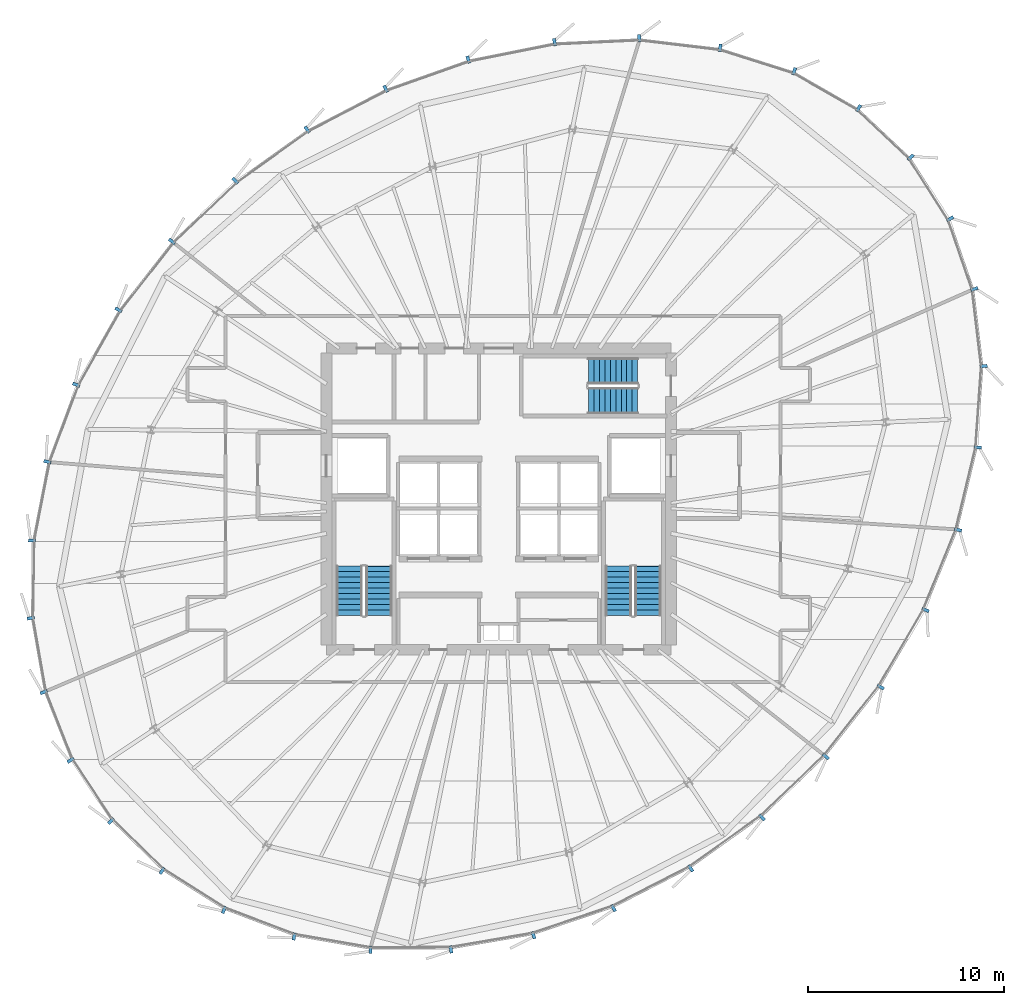
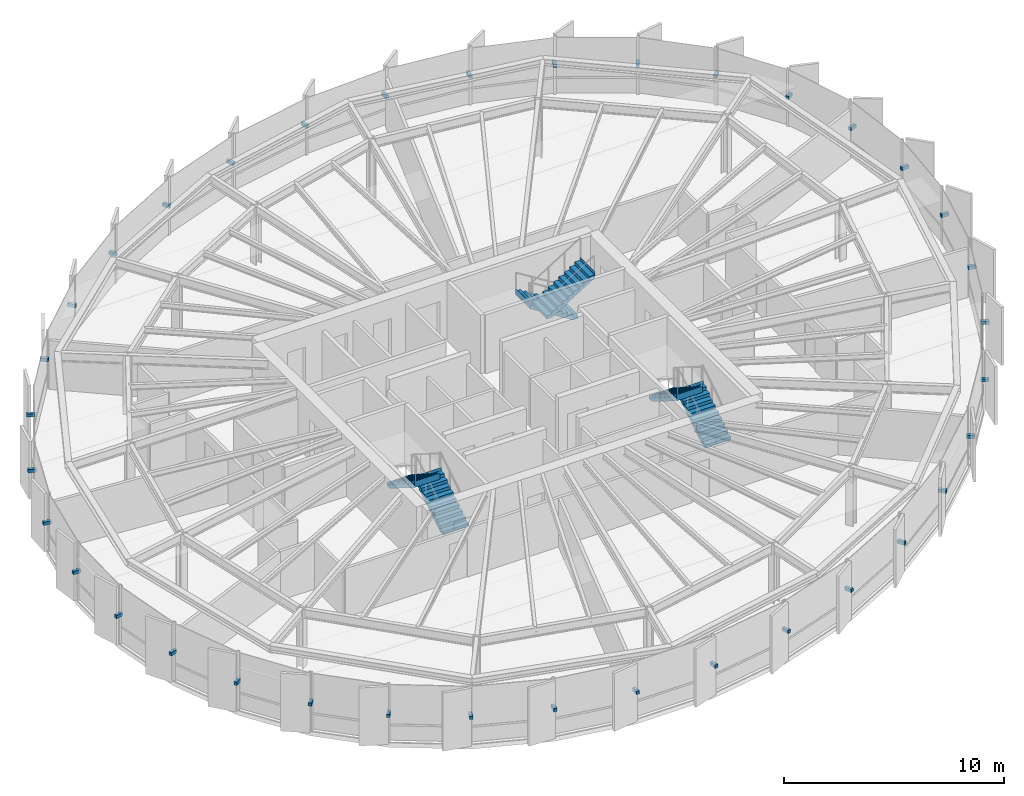
# One storey, part 32 of 35: 36 discrete accessories, 6 stair flights, 3 elements without a shape of their own.
"""IFC4 building model written with IfcOpenShell, lengths in metres."""

from ifc_helpers import new_model, si_unit, direction, frame, origin, origin_2d, place, context, subcontext, project, spatial, polyline, rectangle, outline, extrude, source, transform, mapped, material, type_object, element, aggregate, save


model = new_model("IFC4")

# Units and contexts
model_context = context("Model", 3, precision=1e-05, world=origin(), true_north=direction((0.0, 1.0)))
body_context = subcontext(model_context, "Body", "Model", "MODEL_VIEW")
ifc_project = project(units=[si_unit("LENGTHUNIT", "METRE"), si_unit("AREAUNIT", "SQUARE_METRE"), si_unit("VOLUMEUNIT", "CUBIC_METRE"), si_unit("PLANEANGLEUNIT", "RADIAN"), si_unit("MASSUNIT", "GRAM", prefix="KILO"), si_unit("THERMODYNAMICTEMPERATUREUNIT", "KELVIN")], contexts=[model_context])

# Site, building, storey
site_placement = place(None, origin())
site = spatial("IfcSite", under=ifc_project, at=site_placement, CompositionType="ELEMENT")
building_placement = place(site_placement, origin())
building = spatial("IfcBuilding", under=site, at=building_placement, Name="Kethvar Cultural Tower", CompositionType="ELEMENT")
storey_placement = place(building_placement, frame((0.0, 0.0, 193.89990234375)))
storey = spatial("IfcBuildingStorey", under=building, at=storey_placement, Name="L50", CompositionType="ELEMENT", Elevation=193.89990234375)

# Stair, stair flights
ifc_material_1 = material(Name="Concrete C40/50", Category="concrete")
stair_type = type_object("IfcStairType", Name="ST-DOGLEG-135", PredefinedType="HALF_TURN_STAIR", material=ifc_material_1)
stair_1_placement = place(storey_placement, origin())
stair_1 = element("IfcStair", 1, at=stair_1_placement, inside=storey, type_object=stair_type, Name="L50 Core Exit Stair 1", PredefinedType="HALF_TURN_STAIR")
stair_flight_type = type_object("IfcStairFlightType", Name="FL-STRAIGHT-135", PredefinedType="STRAIGHT", material=ifc_material_1)
stair_flight_1_placement = place(storey_placement, frame((40.675048828125, 21.85009765625, 0.0), z_axis=(0.0, 0.0, 1.0), x_axis=(0.0, 1.0, 0.0)))
stair_flight_1 = element("IfcStairFlight", 2, at=stair_flight_1_placement, type_object=stair_flight_type, Name="ST-01 flight 1", NumberOfRisers=10, NumberOfTreads=9, PredefinedType="STRAIGHT", RiserHeight=0.175, TreadLength=0.28, context=body_context, shape_type="SweptSolid", body=[
    extrude(outline(polyline([(-0.0009765625, -0.0009765625), (-0.0009765625, 0.175048828125), (0.280029296875, 0.175048828125), (0.280029296875, 0.35009765625), (0.56005859375, 0.35009765625), (0.56005859375, 0.52490234375), (0.840087890625, 0.52490234375), (0.840087890625, 0.699951171875), (1.1201171875, 0.699951171875), (1.1201171875, 0.875), (1.39990234375, 0.875), (1.39990234375, 1.050048828125), (1.679931640625, 1.050048828125), (1.679931640625, 1.22509765625), (1.9599609375, 1.22509765625), (1.9599609375, 1.39990234375), (2.239990234375, 1.39990234375), (2.239990234375, 1.574951171875), (2.52001953125, 1.574951171875), (2.52001953125, 1.75), (2.52099609375, 1.75), (2.52099609375, 1.398193359375), (0.28271484375, 0.0), (0.0, -0.0009765625), (-0.0009765625, -0.0009765625)])), frame((0.0, 0.675048828125, 0.0), z_axis=(0.0, -1.0, 0.0), x_axis=(1.0, 0.0, 0.0)), (0.0, 0.0, 1.0), 1.35009765625),
])
stair_flight_2_placement = place(storey_placement, frame((39.1650390625, 24.3701171875, 1.75), z_axis=(0.0, 0.0, 1.0), x_axis=(0.0, -1.0, 0.0)))
stair_flight_2 = element("IfcStairFlight", 3, at=stair_flight_2_placement, type_object=stair_flight_type, Name="ST-01 flight 2", NumberOfRisers=10, NumberOfTreads=9, PredefinedType="STRAIGHT", RiserHeight=0.175, TreadLength=0.28, context=body_context, shape_type="SweptSolid", body=[
    extrude(outline(polyline([(-0.0009765625, -0.0009765625), (-0.0009765625, 0.175048828125), (0.280029296875, 0.175048828125), (0.280029296875, 0.35009765625), (0.56005859375, 0.35009765625), (0.56005859375, 0.52490234375), (0.840087890625, 0.52490234375), (0.840087890625, 0.699951171875), (1.1201171875, 0.699951171875), (1.1201171875, 0.875), (1.39990234375, 0.875), (1.39990234375, 1.050048828125), (1.679931640625, 1.050048828125), (1.679931640625, 1.22509765625), (1.9599609375, 1.22509765625), (1.9599609375, 1.39990234375), (2.239990234375, 1.39990234375), (2.239990234375, 1.574951171875), (2.52001953125, 1.574951171875), (2.52001953125, 1.75), (2.52099609375, 1.75), (2.52099609375, 1.398193359375), (0.28271484375, 0.0), (0.0, -0.0009765625), (-0.0009765625, -0.0009765625)])), frame((0.0, 0.675048828125, 0.0), z_axis=(0.0, -1.0, 0.0), x_axis=(1.0, 0.0, 0.0)), (0.0, 0.0, 1.0), 1.35009765625),
])
aggregate(stair_1, [stair_flight_1, stair_flight_2])

stair_2_placement = place(storey_placement, origin())
stair_2 = element("IfcStair", 4, at=stair_2_placement, inside=storey, type_object=stair_type, Name="L50 Core Exit Stair 2", PredefinedType="HALF_TURN_STAIR")
stair_flight_3_placement = place(storey_placement, frame((54.43505859375, 21.85009765625, 0.0), z_axis=(0.0, 0.0, 1.0), x_axis=(0.0, 1.0, 0.0)))
stair_flight_3 = element("IfcStairFlight", 5, at=stair_flight_3_placement, type_object=stair_flight_type, Name="ST-02 flight 1", NumberOfRisers=10, NumberOfTreads=9, PredefinedType="STRAIGHT", RiserHeight=0.175, TreadLength=0.28, context=body_context, shape_type="SweptSolid", body=[
    extrude(outline(polyline([(-0.0009765625, -0.0009765625), (-0.0009765625, 0.175048828125), (0.280029296875, 0.175048828125), (0.280029296875, 0.35009765625), (0.56005859375, 0.35009765625), (0.56005859375, 0.52490234375), (0.840087890625, 0.52490234375), (0.840087890625, 0.699951171875), (1.1201171875, 0.699951171875), (1.1201171875, 0.875), (1.39990234375, 0.875), (1.39990234375, 1.050048828125), (1.679931640625, 1.050048828125), (1.679931640625, 1.22509765625), (1.9599609375, 1.22509765625), (1.9599609375, 1.39990234375), (2.239990234375, 1.39990234375), (2.239990234375, 1.574951171875), (2.52001953125, 1.574951171875), (2.52001953125, 1.75), (2.52099609375, 1.75), (2.52099609375, 1.398193359375), (0.28271484375, 0.0), (0.0, -0.0009765625), (-0.0009765625, -0.0009765625)])), frame((0.0, 0.675048828125, 0.0), z_axis=(0.0, -1.0, 0.0), x_axis=(1.0, 0.0, 0.0)), (0.0, 0.0, 1.0), 1.35009765625),
])
stair_flight_4_placement = place(storey_placement, frame((52.925048828125, 24.3701171875, 1.75), z_axis=(0.0, 0.0, 1.0), x_axis=(0.0, -1.0, 0.0)))
stair_flight_4 = element("IfcStairFlight", 6, at=stair_flight_4_placement, type_object=stair_flight_type, Name="ST-02 flight 2", NumberOfRisers=10, NumberOfTreads=9, PredefinedType="STRAIGHT", RiserHeight=0.175, TreadLength=0.28, context=body_context, shape_type="SweptSolid", body=[
    extrude(outline(polyline([(-0.0009765625, -0.0009765625), (-0.0009765625, 0.175048828125), (0.280029296875, 0.175048828125), (0.280029296875, 0.35009765625), (0.56005859375, 0.35009765625), (0.56005859375, 0.52490234375), (0.840087890625, 0.52490234375), (0.840087890625, 0.699951171875), (1.1201171875, 0.699951171875), (1.1201171875, 0.875), (1.39990234375, 0.875), (1.39990234375, 1.050048828125), (1.679931640625, 1.050048828125), (1.679931640625, 1.22509765625), (1.9599609375, 1.22509765625), (1.9599609375, 1.39990234375), (2.239990234375, 1.39990234375), (2.239990234375, 1.574951171875), (2.52001953125, 1.574951171875), (2.52001953125, 1.75), (2.52099609375, 1.75), (2.52099609375, 1.398193359375), (0.28271484375, 0.0), (0.0, -0.0009765625), (-0.0009765625, -0.0009765625)])), frame((0.0, 0.675048828125, 0.0), z_axis=(0.0, -1.0, 0.0), x_axis=(1.0, 0.0, 0.0)), (0.0, 0.0, 1.0), 1.35009765625),
])
aggregate(stair_2, [stair_flight_3, stair_flight_4])

stair_3_placement = place(storey_placement, origin())
stair_3 = element("IfcStair", 7, at=stair_3_placement, inside=storey, type_object=stair_type, Name="L50 Core Exit Stair 3", PredefinedType="HALF_TURN_STAIR")
stair_flight_5_placement = place(storey_placement, frame((53.89990234375, 34.3349609375, 0.0), z_axis=(0.0, 0.0, 1.0), x_axis=(-1.0, 0.0, 0.0)))
stair_flight_5 = element("IfcStairFlight", 8, at=stair_flight_5_placement, type_object=stair_flight_type, Name="ST-03 flight 1", NumberOfRisers=10, NumberOfTreads=9, PredefinedType="STRAIGHT", RiserHeight=0.175, TreadLength=0.28, context=body_context, shape_type="SweptSolid", body=[
    extrude(outline(polyline([(-0.0009765625, -0.0009765625), (-0.0009765625, 0.175048828125), (0.280029296875, 0.175048828125), (0.280029296875, 0.35009765625), (0.56005859375, 0.35009765625), (0.56005859375, 0.52490234375), (0.840087890625, 0.52490234375), (0.840087890625, 0.699951171875), (1.1201171875, 0.699951171875), (1.1201171875, 0.875), (1.39990234375, 0.875), (1.39990234375, 1.050048828125), (1.679931640625, 1.050048828125), (1.679931640625, 1.22509765625), (1.9599609375, 1.22509765625), (1.9599609375, 1.39990234375), (2.239990234375, 1.39990234375), (2.239990234375, 1.574951171875), (2.52001953125, 1.574951171875), (2.52001953125, 1.75), (2.52099609375, 1.75), (2.52099609375, 1.398193359375), (0.28271484375, 0.0), (0.0, -0.0009765625), (-0.0009765625, -0.0009765625)])), frame((0.0, 0.675048828125, 0.0), z_axis=(0.0, -1.0, 0.0), x_axis=(1.0, 0.0, 0.0)), (0.0, 0.0, 1.0), 1.35009765625),
])
stair_flight_6_placement = place(storey_placement, frame((51.3798828125, 32.824951171875, 1.75), z_axis=(0.0, 0.0, 1.0), x_axis=(1.0, 0.0, 0.0)))
stair_flight_6 = element("IfcStairFlight", 9, at=stair_flight_6_placement, type_object=stair_flight_type, Name="ST-03 flight 2", NumberOfRisers=10, NumberOfTreads=9, PredefinedType="STRAIGHT", RiserHeight=0.175, TreadLength=0.28, context=body_context, shape_type="SweptSolid", body=[
    extrude(outline(polyline([(-0.0009765625, -0.0009765625), (-0.0009765625, 0.175048828125), (0.280029296875, 0.175048828125), (0.280029296875, 0.35009765625), (0.56005859375, 0.35009765625), (0.56005859375, 0.52490234375), (0.840087890625, 0.52490234375), (0.840087890625, 0.699951171875), (1.1201171875, 0.699951171875), (1.1201171875, 0.875), (1.39990234375, 0.875), (1.39990234375, 1.050048828125), (1.679931640625, 1.050048828125), (1.679931640625, 1.22509765625), (1.9599609375, 1.22509765625), (1.9599609375, 1.39990234375), (2.239990234375, 1.39990234375), (2.239990234375, 1.574951171875), (2.52001953125, 1.574951171875), (2.52001953125, 1.75), (2.52099609375, 1.75), (2.52099609375, 1.398193359375), (0.28271484375, 0.0), (0.0, -0.0009765625), (-0.0009765625, -0.0009765625)])), frame((0.0, 0.675048828125, 0.0), z_axis=(0.0, -1.0, 0.0), x_axis=(1.0, 0.0, 0.0)), (0.0, 0.0, 1.0), 1.35009765625),
])
aggregate(stair_3, [stair_flight_5, stair_flight_6])

# Discrete accessories
ifc_material_2 = material(Name="Steel S355J2", Category="steel")
discrete_accessory_type = type_object("IfcDiscreteAccessoryType", Name="Steel Fin Bracket BRK-01", PredefinedType="BRACKET", material=ifc_material_2)
shared_shape = source(origin(), body_context, "Body", "SweptSolid", [
    extrude(rectangle(XDim=0.3798828125, YDim=0.159912109375, at=origin_2d()), origin(), (0.0, 0.0, 1.0), 0.179931640625),
])
for number, where, z_axis, x_axis, name in (
    (10, (67.84228515625, 45.259521484375, 1.5400390625), (0.0, 0.0, 1.0), (0.686833846544, 0.726814465487, 0.0), "L50 Terracotta Fin Bracket 1.1"),
    (11, (65.185791015625, 47.76953125, 1.5400390625), (0.0, 0.0, 1.0), (0.497731039913, 0.867331431408, 0.0), "L50 Terracotta Fin Bracket 1.2"),
    (12, (61.8935546875, 49.658935546875, 1.5400390625), (0.0, 0.0, 1.0), (0.30220352299, 0.953243426776, 0.0), "L50 Terracotta Fin Bracket 1.3"),
    (13, (58.111328125, 50.85791015625, 1.5400390625), (0.0, 0.0, 1.0), (0.118577271677, 0.992944827592, 0.0), "L50 Terracotta Fin Bracket 1.4"),
    (14, (53.979248046875, 51.350830078125, 1.5400390625), (0.0, 0.0, 1.0), (-0.04710645071, 0.998889874962, 0.0), "L50 Terracotta Fin Bracket 1.5"),
    (15, (49.65087890625, 51.146484375, 1.5400390625), (0.0, 0.0, 1.0), (-0.196459565994, 0.98051192697, 0.0), "L50 Terracotta Fin Bracket 1.6"),
    (16, (45.24609375, 50.25830078125, 1.5400390625), (0.0, 0.0, 1.0), (-0.333313247568, 0.942816142732, 0.0), "L50 Terracotta Fin Bracket 2.1"),
    (17, (41.0244140625, 48.76611328125, 1.5400390625), (0.0, 0.0, 1.0), (-0.460974374535, 0.887413447059, 0.0), "L50 Terracotta Fin Bracket 2.2"),
    (18, (37.0087890625, 46.6796875, 1.5400390625), (0.0, 0.0, 1.0), (-0.580987100252, 0.813912765191, 0.0), "L50 Terracotta Fin Bracket 2.3"),
    (19, (33.34423828125, 44.064208984375, 1.5400390625), (0.0, 0.0, 1.0), (-0.690882411077, 0.72296714591, 0.0), "L50 Terracotta Fin Bracket 2.4"),
    (20, (30.10400390625, 40.96728515625, 1.5400390625), (0.0, 0.0, 1.0), (-0.787903288407, 0.61579899977, 0.0), "L50 Terracotta Fin Bracket 2.5"),
    (21, (27.370849609375, 37.470458984375, 1.5400390625), (0.0, 0.0, 1.0), (-0.87052753116, 0.492119718658, 0.0), "L50 Terracotta Fin Bracket 2.6"),
    (22, (25.21435546875, 33.64306640625, 1.5400390625), (0.0, 0.0, 1.0), (-0.936427470132, 0.350861216412, 0.0), "L50 Terracotta Fin Bracket 3.1"),
    (23, (23.74072265625, 29.710205078125, 1.5400390625), (0.0, 0.0, 1.0), (-0.981426830534, 0.191836848149, 0.0), "L50 Terracotta Fin Bracket 3.2"),
    (24, (22.953857421875, 25.6826171875, 1.5400390625), (0.0, 0.0, 1.0), (-0.999876632482, 0.015707317312, 0.0), "L50 Terracotta Fin Bracket 3.3"),
    (25, (22.8916015625, 21.718994140625, 1.5400390625), (0.0, 0.0, 1.0), (-0.984898539986, -0.173132509753, 0.0), "L50 Terracotta Fin Bracket 3.4"),
    (26, (23.555908203125, 17.940185546875, 1.5400390625), (0.0, 0.0, 1.0), (-0.930417567982, -0.366501226724, 0.0), "L50 Terracotta Fin Bracket 3.5"),
    (27, (24.926513671875, 14.461181640625, 1.5400390625), (0.0, 0.0, 1.0), (-0.83378947819, -0.552082517437, 0.0), "L50 Terracotta Fin Bracket 3.6"),
    (28, (26.989990234375, 11.360107421875, 1.5400390625), (0.0, 0.0, 1.0), (-0.698540186739, -0.715570826341, 0.0), "L50 Terracotta Fin Bracket 4.1"),
    (29, (29.600341796875, 8.812255859375, 1.5400390625), (0.0, 0.0, 1.0), (-0.53435234939, -0.845261833222, 0.0), "L50 Terracotta Fin Bracket 4.2"),
    (30, (32.76123046875, 6.814208984375, 1.5400390625), (0.0, 0.0, 1.0), (-0.354617440174, -0.935011481814, 0.0), "L50 Terracotta Fin Bracket 4.3"),
    (31, (36.3486328125, 5.4541015625, 1.5400390625), (0.0, 0.0, 1.0), (-0.171929100279, -0.985109326155, 0.0), "L50 Terracotta Fin Bracket 4.4"),
    (32, (40.25341796875, 4.77294921875, 1.5400390625), (0.0, 0.0, 1.0), (0.004537840481, -0.999989703949, 0.0), "L50 Terracotta Fin Bracket 4.5"),
    (33, (44.357177734375, 4.791259765625, 1.5400390625), (0.0, 0.0, 1.0), (0.169177489289, -0.985585601111, 0.0), "L50 Terracotta Fin Bracket 4.6"),
    (34, (48.57177734375, 5.521240234375, 1.5400390625), (0.0, 0.0, 1.0), (0.320282332298, -0.947322135083, 0.0), "L50 Terracotta Fin Bracket 5.1"),
    (35, (52.659912109375, 6.903564453125, 1.5400390625), (0.0, 0.0, 1.0), (0.457253152537, -0.889336581107, 0.0), "L50 Terracotta Fin Bracket 5.2"),
    (36, (56.606689453125, 8.93310546875, 1.5400390625), (0.0, 0.0, 1.0), (0.580702955711, -0.814115518356, 0.0), "L50 Terracotta Fin Bracket 5.3"),
    (37, (60.255859375, 11.535888671875, 1.5400390625), (0.0, 0.0, 1.0), (0.690630005849, -0.723208265315, 0.0), "L50 Terracotta Fin Bracket 5.4"),
    (38, (63.511474609375, 14.6455078125, 1.5400390625), (0.0, 0.0, 1.0), (0.785316930881, -0.61909394931, 0.0), "L50 Terracotta Fin Bracket 5.5"),
    (39, (66.313232421875, 18.19921875, 1.5400390625), (0.0, 0.0, 1.0), (0.863659602288, -0.504075481823, 0.0), "L50 Terracotta Fin Bracket 5.6"),
    (40, (68.6044921875, 22.13671875, 1.5400390625), (0.0, 0.0, 1.0), (0.926331513311, -0.376709340802, 0.0), "L50 Terracotta Fin Bracket 6.1"),
    (41, (70.267578125, 26.227294921875, 1.5400390625), (0.0, 0.0, 1.0), (0.972369920398, -0.233445363856, 0.0), "L50 Terracotta Fin Bracket 6.2"),
    (42, (71.279296875, 30.44091796875, 1.5400390625), (0.0, 0.0, 1.0), (0.997576209867, -0.069582364911, 0.0), "L50 Terracotta Fin Bracket 6.3"),
    (43, (71.569091796875, 34.59228515625, 1.5400390625), (0.0, 0.0, 1.0), (0.992986158374, 0.118230661329, 0.0), "L50 Terracotta Fin Bracket 6.4"),
    (44, (71.099365234375, 38.5322265625, 1.5400390625), (0.0, 0.0, 1.0), (0.945234103797, 0.326393150999, 0.0), "L50 Terracotta Fin Bracket 6.5"),
    (45, (69.85986328125, 42.120361328125, 1.5400390625), (0.0, 0.0, 1.0), (0.84264041216, 0.538476680827, 0.0), "L50 Terracotta Fin Bracket 6.6"),
):
    element("IfcDiscreteAccessory", number, at=place(storey_placement, frame(where, z_axis=z_axis, x_axis=x_axis)), inside=storey, type_object=discrete_accessory_type, Name=name, PredefinedType="BRACKET", context=body_context, shape_type="MappedRepresentation", body=[
        mapped(shared_shape, transform((0.0, 0.0, 0.0), scale=1.0)),
    ])

save(model, "model.ifc")
